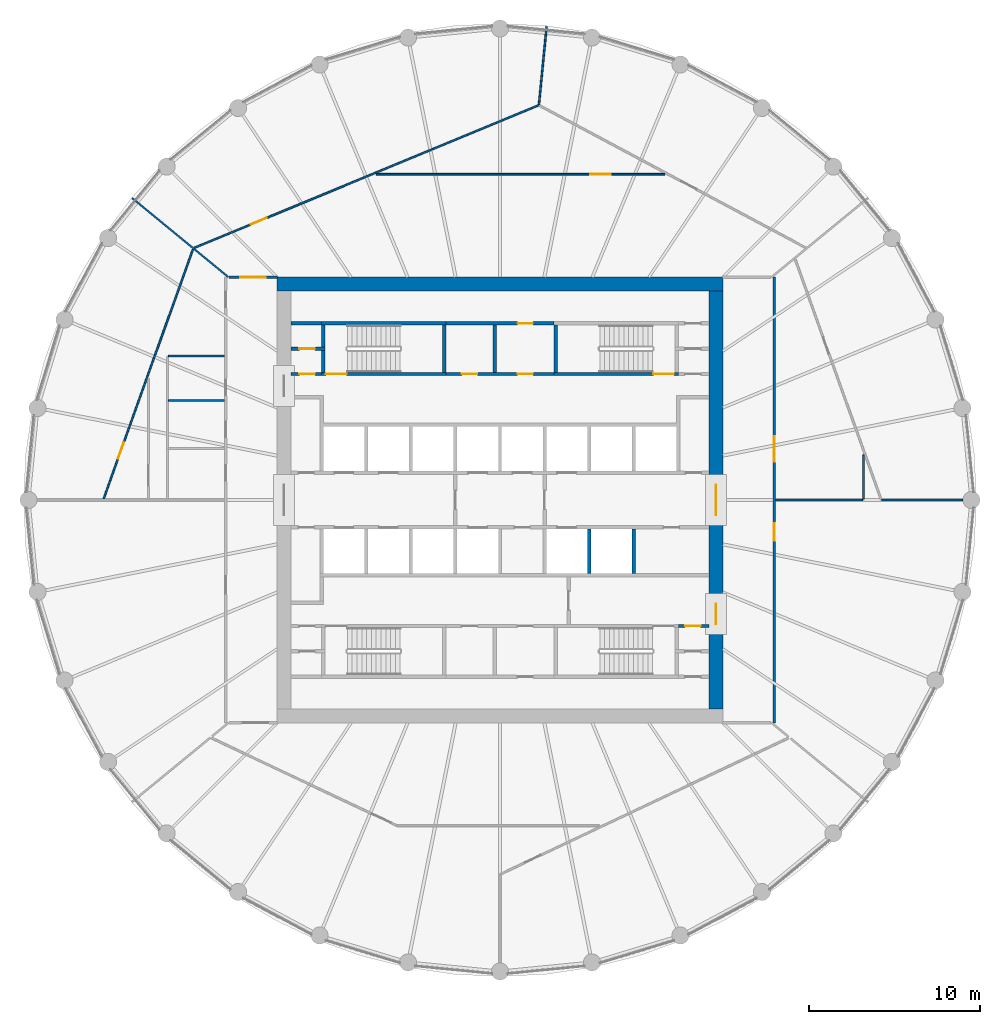
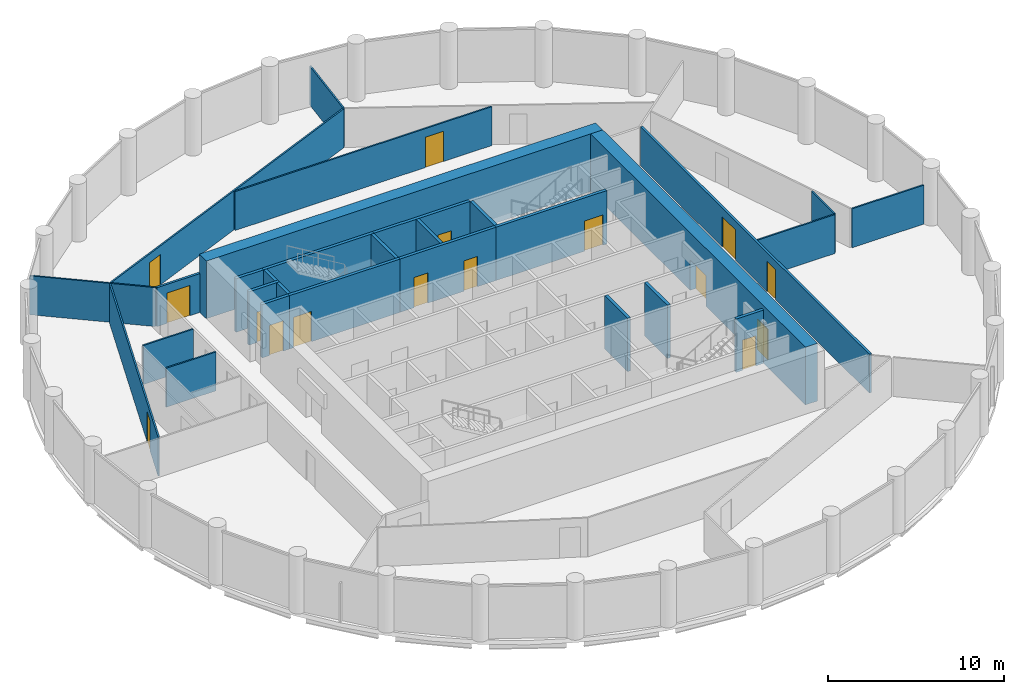
# One storey, part 6 of 8: 30 walls, 16 doors, 16 openings.
"""IFC4 building model written with IfcOpenShell, lengths in metres."""

from ifc_helpers import new_model, si_unit, direction, frame, frame_2d, origin, place, context, subcontext, project, spatial, polyline, rectangle, outline, extrude, material, layer, layer_set, type_object, element, fill, save


model = new_model("IFC4")

# Units and contexts
model_context = context("Model", 3, precision=1e-05, world=origin(), true_north=direction((0.0, 1.0)))
body_context = subcontext(model_context, "Body", "Model", "MODEL_VIEW")
ifc_project = project(units=[si_unit("LENGTHUNIT", "METRE"), si_unit("AREAUNIT", "SQUARE_METRE"), si_unit("VOLUMEUNIT", "CUBIC_METRE"), si_unit("PLANEANGLEUNIT", "RADIAN"), si_unit("MASSUNIT", "GRAM", prefix="KILO")], contexts=[model_context])

# Site, building, storey
site_placement = place(None, origin())
site = spatial("IfcSite", under=ifc_project, at=site_placement, CompositionType="ELEMENT")
building_placement = place(site_placement, origin())
building = spatial("IfcBuilding", under=site, at=building_placement, Name="Corvane Civic Tower", CompositionType="ELEMENT")
storey_placement = place(building_placement, frame((0.0, 0.0, 237.5)))
storey = spatial("IfcBuildingStorey", under=building, at=storey_placement, Name="L56", CompositionType="ELEMENT", Elevation=237.5)

# Wall
ifc_material_1 = material(Name="Concrete C50/60", Category="concrete")
ifc_layer_1 = layer(ifc_material_1, 0.800048828125)
ifc_layer_set_1 = layer_set([ifc_layer_1], Name="Concrete C50/60")
wall_type_1 = type_object("IfcWallType", Name="CORE WALL 800 C50/60", PredefinedType="SHEAR", material=ifc_layer_set_1)
wall_1_placement = place(storey_placement, frame((-13.0, 12.60009765625, 0.0), z_axis=(0.0, 0.0, 1.0), x_axis=(1.0, 0.0, 0.0)))
element("IfcWall", 1, at=wall_1_placement, inside=storey, type_object=wall_type_1, Name="W-L56-core-N", PredefinedType="SHEAR", context=body_context, shape_type="SweptSolid", body=[
    extrude(rectangle(XDim=26.0, YDim=0.800048828125, at=frame_2d((13.0, 0.0))), origin(), (0.0, 0.0, 1.0), 4.0),
])

# Wall, openings, doors
wall_2_placement = place(storey_placement, frame((12.60009765625, -12.199951171875, 0.0), z_axis=(0.0, 0.0, 1.0), x_axis=(0.0, 1.0, 0.0)))
wall_2 = element("IfcWall", 2, at=wall_2_placement, inside=storey, type_object=wall_type_1, Name="W-L56-core-E", PredefinedType="SHEAR", context=body_context, shape_type="SweptSolid", body=[
    extrude(rectangle(XDim=24.39990234375, YDim=0.800048828125, at=frame_2d((12.199951171875, 0.0))), origin(), (0.0, 0.0, 1.0), 4.0),
])
opening_1_placement = place(wall_2_placement, frame((11.300048828125, 0.0, 0.0)))
opening_1 = element("IfcOpeningElement", 3, at=opening_1_placement, cuts=wall_2, Name="Opening L56.C30", PredefinedType="OPENING", context=body_context, shape_type="SweptSolid", body=[
    extrude(rectangle(XDim=1.800048828125, YDim=2.10009765625, at=frame_2d((0.89990234375, 1.050048828125))), frame((0.0, 0.409912109375, 0.0), z_axis=(0.0, -1.0, 0.0), x_axis=(1.0, 0.0, 0.0)), (0.0, 0.0, 1.0), 0.820068359375),
])
opening_2_placement = place(wall_2_placement, frame((4.949951171875, 0.0, 0.0)))
opening_2 = element("IfcOpeningElement", 4, at=opening_2_placement, cuts=wall_2, Name="Opening L56.C32", PredefinedType="OPENING", context=body_context, shape_type="SweptSolid", body=[
    extrude(rectangle(XDim=1.199951171875, YDim=2.10009765625, at=frame_2d((0.60009765625, 1.050048828125))), frame((0.0, 0.409912109375, 0.0), z_axis=(0.0, -1.0, 0.0), x_axis=(1.0, 0.0, 0.0)), (0.0, 0.0, 1.0), 0.820068359375),
])
ifc_material_2 = material(Name="Steel fire door leaf", Category="steel")
door_type_1 = type_object("IfcDoorType", Name="CR-DOOR-CORE-1800", OperationType="DOUBLE_DOOR_SINGLE_SWING", PredefinedType="DOOR", material=ifc_material_2)
door_1_placement = place(opening_1_placement, origin())
door_1 = element("IfcDoor", 5, at=door_1_placement, inside=storey, type_object=door_type_1, Name="L56 door", OperationType="DOUBLE_DOOR_SINGLE_SWING", OverallHeight=2.10009765625, OverallWidth=1.800048828125, PredefinedType="DOOR", context=body_context, shape_type="SweptSolid", body=[
    extrude(rectangle(XDim=1.800048828125, YDim=2.10009765625, at=frame_2d((0.89990234375, 1.050048828125))), frame((0.0, 0.02490234375, 0.0), z_axis=(0.0, -1.0, 0.0), x_axis=(1.0, 0.0, 0.0)), (0.0, 0.0, 1.0), 0.050048828125),
])
fill(opening_1, door_1)
door_2_placement = place(opening_2_placement, origin())
door_2 = element("IfcDoor", 6, at=door_2_placement, inside=storey, type_object=door_type_1, Name="L56 door", OperationType="DOUBLE_DOOR_SINGLE_SWING", OverallHeight=2.10009765625, OverallWidth=1.199951171875, PredefinedType="DOOR", context=body_context, shape_type="SweptSolid", body=[
    extrude(rectangle(XDim=1.199951171875, YDim=2.10009765625, at=frame_2d((0.60009765625, 1.050048828125))), frame((0.0, 0.02490234375, 0.0), z_axis=(0.0, -1.0, 0.0), x_axis=(1.0, 0.0, 0.0)), (0.0, 0.0, 1.0), 0.050048828125),
])
fill(opening_2, door_2)

# Wall, opening, door
ifc_material_3 = material(Name="Concrete C30/37", Category="concrete")
ifc_layer_2 = layer(ifc_material_3, 0.199951171875)
ifc_layer_set_2 = layer_set([ifc_layer_2], Name="Concrete C30/37")
wall_type_2 = type_object("IfcWallType", Name="CR-WALL-200", PredefinedType="PARTITIONING", material=ifc_layer_set_2)
wall_3_placement = place(storey_placement, frame((10.39990234375, -7.35009765625, 0.0), z_axis=(0.0, 0.0, 1.0), x_axis=(1.0, 0.0, 0.0)))
wall_3 = element("IfcWall", 7, at=wall_3_placement, inside=storey, type_object=wall_type_2, Name="L56 core partition wall", PredefinedType="PARTITIONING", context=body_context, shape_type="SweptSolid", body=[
    extrude(rectangle(XDim=1.800048828125, YDim=0.199951171875, at=frame_2d((0.89990234375, 0.0))), origin(), (0.0, 0.0, 1.0), 3.699951171875),
])
opening_3_placement = place(wall_3_placement, frame((0.39990234375, 0.0, 0.0)))
opening_3 = element("IfcOpeningElement", 8, at=opening_3_placement, cuts=wall_3, Name="Opening L56.C19", PredefinedType="OPENING", context=body_context, shape_type="SweptSolid", body=[
    extrude(rectangle(XDim=0.89990234375, YDim=2.10009765625, at=frame_2d((0.449951171875, 1.050048828125))), frame((0.0, 0.10986328125, 0.0), z_axis=(0.0, -1.0, 0.0), x_axis=(1.0, 0.0, 0.0)), (0.0, 0.0, 1.0), 0.219970703125),
])
ifc_material_4 = material(Name="Steel fire door leaf", Category="steel")
door_type_2 = type_object("IfcDoorType", Name="CR-DOOR-900", OperationType="SINGLE_SWING_LEFT", PredefinedType="DOOR", material=ifc_material_4)
door_3_placement = place(opening_3_placement, origin())
door_3 = element("IfcDoor", 9, at=door_3_placement, inside=storey, type_object=door_type_2, Name="L56 door", OperationType="SINGLE_SWING_LEFT", OverallHeight=2.10009765625, OverallWidth=0.89990234375, PredefinedType="DOOR", context=body_context, shape_type="SweptSolid", body=[
    extrude(rectangle(XDim=0.89990234375, YDim=2.10009765625, at=frame_2d((0.449951171875, 1.050048828125))), frame((0.0, 0.02490234375, 0.0), z_axis=(0.0, -1.0, 0.0), x_axis=(1.0, 0.0, 0.0)), (0.0, 0.0, 1.0), 0.050048828125),
])
fill(opening_3, door_3)

wall_4_placement = place(storey_placement, frame((-12.199951171875, 7.35009765625, 0.0), z_axis=(0.0, 0.0, 1.0), x_axis=(1.0, 0.0, 0.0)))
wall_4 = element("IfcWall", 10, at=wall_4_placement, inside=storey, type_object=wall_type_2, Name="L56 core partition wall", PredefinedType="PARTITIONING", context=body_context, shape_type="SweptSolid", body=[
    extrude(rectangle(XDim=1.800048828125, YDim=0.199951171875, at=frame_2d((0.89990234375, 0.0))), origin(), (0.0, 0.0, 1.0), 3.699951171875),
])
opening_4_placement = place(wall_4_placement, frame((0.5, 0.0, 0.0)))
opening_4 = element("IfcOpeningElement", 11, at=opening_4_placement, cuts=wall_4, Name="Opening L56.C12", PredefinedType="OPENING", context=body_context, shape_type="SweptSolid", body=[
    extrude(rectangle(XDim=0.89990234375, YDim=2.10009765625, at=frame_2d((0.449951171875, 1.050048828125))), frame((0.0, 0.10986328125, 0.0), z_axis=(0.0, -1.0, 0.0), x_axis=(1.0, 0.0, 0.0)), (0.0, 0.0, 1.0), 0.219970703125),
])
door_4_placement = place(opening_4_placement, origin())
door_4 = element("IfcDoor", 12, at=door_4_placement, inside=storey, type_object=door_type_2, Name="L56 door", OperationType="SINGLE_SWING_LEFT", OverallHeight=2.10009765625, OverallWidth=0.89990234375, PredefinedType="DOOR", context=body_context, shape_type="SweptSolid", body=[
    extrude(rectangle(XDim=0.89990234375, YDim=2.10009765625, at=frame_2d((0.449951171875, 1.050048828125))), frame((0.0, 0.02490234375, 0.0), z_axis=(0.0, -1.0, 0.0), x_axis=(1.0, 0.0, 0.0)), (0.0, 0.0, 1.0), 0.050048828125),
])
fill(opening_4, door_4)

# Wall, openings, doors
wall_5_placement = place(storey_placement, frame((-3.14990234375, 7.35009765625, 0.0), z_axis=(0.0, 0.0, 1.0), x_axis=(1.0, 0.0, 0.0)))
wall_5 = element("IfcWall", 13, at=wall_5_placement, inside=storey, type_object=wall_type_2, Name="L56 core partition wall", PredefinedType="PARTITIONING", context=body_context, shape_type="SweptSolid", body=[
    extrude(rectangle(XDim=6.2998046875, YDim=0.199951171875, at=frame_2d((3.14990234375, 0.0))), origin(), (0.0, 0.0, 1.0), 3.699951171875),
])
opening_5_placement = place(wall_5_placement, frame((0.925048828125, 0.0, 0.0)))
opening_5 = element("IfcOpeningElement", 14, at=opening_5_placement, cuts=wall_5, Name="Opening L56.C06", PredefinedType="OPENING", context=body_context, shape_type="SweptSolid", body=[
    extrude(rectangle(XDim=0.89990234375, YDim=2.10009765625, at=frame_2d((0.449951171875, 1.050048828125))), frame((0.0, 0.10986328125, 0.0), z_axis=(0.0, -1.0, 0.0), x_axis=(1.0, 0.0, 0.0)), (0.0, 0.0, 1.0), 0.219970703125),
])
opening_6_placement = place(wall_5_placement, frame((4.175048828125, 0.0, 0.0)))
opening_6 = element("IfcOpeningElement", 15, at=opening_6_placement, cuts=wall_5, Name="Opening L56.C07", PredefinedType="OPENING", context=body_context, shape_type="SweptSolid", body=[
    extrude(rectangle(XDim=0.89990234375, YDim=2.10009765625, at=frame_2d((0.449951171875, 1.050048828125))), frame((0.0, 0.10986328125, 0.0), z_axis=(0.0, -1.0, 0.0), x_axis=(1.0, 0.0, 0.0)), (0.0, 0.0, 1.0), 0.219970703125),
])
door_5_placement = place(opening_5_placement, origin())
door_5 = element("IfcDoor", 16, at=door_5_placement, inside=storey, type_object=door_type_2, Name="L56 door", OperationType="SINGLE_SWING_LEFT", OverallHeight=2.10009765625, OverallWidth=0.89990234375, PredefinedType="DOOR", context=body_context, shape_type="SweptSolid", body=[
    extrude(rectangle(XDim=0.89990234375, YDim=2.10009765625, at=frame_2d((0.449951171875, 1.050048828125))), frame((0.0, 0.02490234375, 0.0), z_axis=(0.0, -1.0, 0.0), x_axis=(1.0, 0.0, 0.0)), (0.0, 0.0, 1.0), 0.050048828125),
])
fill(opening_5, door_5)
door_6_placement = place(opening_6_placement, origin())
door_6 = element("IfcDoor", 17, at=door_6_placement, inside=storey, type_object=door_type_2, Name="L56 door", OperationType="SINGLE_SWING_LEFT", OverallHeight=2.10009765625, OverallWidth=0.89990234375, PredefinedType="DOOR", context=body_context, shape_type="SweptSolid", body=[
    extrude(rectangle(XDim=0.89990234375, YDim=2.10009765625, at=frame_2d((0.449951171875, 1.050048828125))), frame((0.0, 0.02490234375, 0.0), z_axis=(0.0, -1.0, 0.0), x_axis=(1.0, 0.0, 0.0)), (0.0, 0.0, 1.0), 0.050048828125),
])
fill(opening_6, door_6)

# Wall, opening, door
wall_6_placement = place(storey_placement, frame((-12.199951171875, 8.824951171875, 0.0), z_axis=(0.0, 0.0, 1.0), x_axis=(1.0, 0.0, 0.0)))
wall_6 = element("IfcWall", 18, at=wall_6_placement, inside=storey, type_object=wall_type_2, Name="L56 partition wall", PredefinedType="PARTITIONING", context=body_context, shape_type="SweptSolid", body=[
    extrude(rectangle(XDim=2.0, YDim=0.199951171875, at=frame_2d((1.0, 0.0))), origin(), (0.0, 0.0, 1.0), 3.699951171875),
])
opening_7_placement = place(wall_6_placement, frame((0.5, 0.0, 0.0)))
opening_7 = element("IfcOpeningElement", 19, at=opening_7_placement, cuts=wall_6, Name="Opening L56.C13", PredefinedType="OPENING", context=body_context, shape_type="SweptSolid", body=[
    extrude(rectangle(XDim=0.89990234375, YDim=2.10009765625, at=frame_2d((0.449951171875, 1.050048828125))), frame((0.0, 0.10986328125, 0.0), z_axis=(0.0, -1.0, 0.0), x_axis=(1.0, 0.0, 0.0)), (0.0, 0.0, 1.0), 0.219970703125),
])
door_7_placement = place(opening_7_placement, origin())
door_7 = element("IfcDoor", 20, at=door_7_placement, inside=storey, type_object=door_type_2, Name="L56 door", OperationType="SINGLE_SWING_LEFT", OverallHeight=2.10009765625, OverallWidth=0.89990234375, PredefinedType="DOOR", context=body_context, shape_type="SweptSolid", body=[
    extrude(rectangle(XDim=0.89990234375, YDim=2.10009765625, at=frame_2d((0.449951171875, 1.050048828125))), frame((0.0, 0.02490234375, 0.0), z_axis=(0.0, -1.0, 0.0), x_axis=(1.0, 0.0, 0.0)), (0.0, 0.0, 1.0), 0.050048828125),
])
fill(opening_7, door_7)

wall_7_placement = place(storey_placement, frame((-3.14990234375, 10.300048828125, 0.0), z_axis=(0.0, 0.0, 1.0), x_axis=(1.0, 0.0, 0.0)))
wall_7 = element("IfcWall", 21, at=wall_7_placement, inside=storey, type_object=wall_type_2, Name="L56 partition wall", PredefinedType="PARTITIONING", context=body_context, shape_type="SweptSolid", body=[
    extrude(rectangle(XDim=6.2998046875, YDim=0.199951171875, at=frame_2d((3.14990234375, 0.0))), origin(), (0.0, 0.0, 1.0), 3.699951171875),
])
opening_8_placement = place(wall_7_placement, frame((4.175048828125, 0.0, 0.0)))
opening_8 = element("IfcOpeningElement", 22, at=opening_8_placement, cuts=wall_7, Name="Opening L56.C10", PredefinedType="OPENING", context=body_context, shape_type="SweptSolid", body=[
    extrude(rectangle(XDim=0.89990234375, YDim=2.10009765625, at=frame_2d((0.449951171875, 1.050048828125))), frame((0.0, 0.10986328125, 0.0), z_axis=(0.0, -1.0, 0.0), x_axis=(1.0, 0.0, 0.0)), (0.0, 0.0, 1.0), 0.219970703125),
])
door_8_placement = place(opening_8_placement, origin())
door_8 = element("IfcDoor", 23, at=door_8_placement, inside=storey, type_object=door_type_2, Name="L56 door", OperationType="SINGLE_SWING_LEFT", OverallHeight=2.10009765625, OverallWidth=0.89990234375, PredefinedType="DOOR", context=body_context, shape_type="SweptSolid", body=[
    extrude(rectangle(XDim=0.89990234375, YDim=2.10009765625, at=frame_2d((0.449951171875, 1.050048828125))), frame((0.0, 0.02490234375, 0.0), z_axis=(0.0, -1.0, 0.0), x_axis=(1.0, 0.0, 0.0)), (0.0, 0.0, 1.0), 0.050048828125),
])
fill(opening_8, door_8)

# Walls
wall_8_placement = place(storey_placement, origin())
element("IfcWall", 24, at=wall_8_placement, inside=storey, type_object=wall_type_2, Name="L56 core partition wall", PredefinedType="PARTITIONING", context=body_context, shape_type="SweptSolid", body=[
    extrude(outline(polyline([(5.300048828125, -1.699951171875), (5.300048828125, -4.2998046875), (5.10009765625, -4.2998046875), (5.10009765625, -1.699951171875), (5.300048828125, -1.699951171875)])), origin(), (0.0, 0.0, 1.0), 3.699951171875),
])
wall_9_placement = place(storey_placement, origin())
element("IfcWall", 25, at=wall_9_placement, inside=storey, type_object=wall_type_2, Name="L56 core partition wall", PredefinedType="PARTITIONING", context=body_context, shape_type="SweptSolid", body=[
    extrude(outline(polyline([(7.89990234375, -1.699951171875), (7.89990234375, -4.2998046875), (7.699951171875, -4.2998046875), (7.699951171875, -1.699951171875), (7.89990234375, -1.699951171875)])), origin(), (0.0, 0.0, 1.0), 3.699951171875),
])
wall_10_placement = place(storey_placement, origin())
element("IfcWall", 26, at=wall_10_placement, inside=storey, type_object=wall_type_2, Name="L56 core partition wall", PredefinedType="PARTITIONING", context=body_context, shape_type="SweptSolid", body=[
    extrude(outline(polyline([(-12.199951171875, 10.199951171875), (-12.199951171875, 10.39990234375), (-10.39990234375, 10.39990234375), (-10.39990234375, 10.199951171875), (-12.199951171875, 10.199951171875)])), origin(), (0.0, 0.0, 1.0), 3.699951171875),
])
wall_11_placement = place(storey_placement, origin())
element("IfcWall", 27, at=wall_11_placement, inside=storey, type_object=wall_type_2, Name="L56 core partition wall", PredefinedType="PARTITIONING", context=body_context, shape_type="SweptSolid", body=[
    extrude(outline(polyline([(-0.199951171875, 10.199951171875), (-0.199951171875, 7.449951171875), (-0.39990234375, 7.449951171875), (-0.39990234375, 10.199951171875), (-0.199951171875, 10.199951171875)])), origin(), (0.0, 0.0, 1.0), 3.699951171875),
])
ifc_material_5 = material(Name="Plasterboard")
ifc_layer_3 = layer(ifc_material_5, 0.10009765625)
ifc_layer_set_3 = layer_set([ifc_layer_3], Name="Plasterboard")
wall_type_3 = type_object("IfcWallType", Name="Partition 100 plasterboard on studs", PredefinedType="PARTITIONING", material=ifc_layer_set_3)
wall_12_placement = place(storey_placement, frame((16.074951171875, 0.0, 0.0), z_axis=(0.0, 0.0, 1.0), x_axis=(1.0, 0.0, 0.0)))
element("IfcWall", 28, at=wall_12_placement, inside=storey, type_object=wall_type_3, Name="Partition L56.014", PredefinedType="PARTITIONING", context=body_context, shape_type="SweptSolid", body=[
    extrude(rectangle(XDim=5.074951171875, YDim=0.10009765625, at=frame_2d((2.53759765625, 0.0))), origin(), (0.0, 0.0, 1.0), 2.699951171875),
])
wall_13_placement = place(storey_placement, frame((22.27880859375, 0.0, 0.0), z_axis=(0.0, 0.0, 1.0), x_axis=(1.0, 0.0, 0.0)))
element("IfcWall", 29, at=wall_13_placement, inside=storey, type_object=wall_type_3, Name="Partition L56.015", PredefinedType="PARTITIONING", context=body_context, shape_type="SweptSolid", body=[
    extrude(rectangle(XDim=4.711181640625, YDim=0.10009765625, at=frame_2d((2.35546875, 0.0))), origin(), (0.0, 0.0, 1.0), 2.699951171875),
])
wall_14_placement = place(storey_placement, frame((21.199951171875, 0.050048828125, 0.0), z_axis=(0.0, 0.0, 1.0), x_axis=(0.0, 1.0, 0.0)))
element("IfcWall", 30, at=wall_14_placement, inside=storey, type_object=wall_type_3, Name="Partition L56.019", PredefinedType="PARTITIONING", context=body_context, shape_type="SweptSolid", body=[
    extrude(rectangle(XDim=2.57861328125, YDim=0.10009765625, at=frame_2d((1.289306640625, 0.0))), origin(), (0.0, 0.0, 1.0), 2.699951171875),
])

# Wall, opening, door
wall_15_placement = place(storey_placement, frame((-23.120849609375, 0.06689453125, 0.0), z_axis=(0.0, 0.0, 1.0), x_axis=(0.336893826296, 0.941542643646, 0.0)))
wall_15 = element("IfcWall", 31, at=wall_15_placement, inside=storey, type_object=wall_type_3, Name="Partition L56.020", PredefinedType="PARTITIONING", context=body_context, shape_type="SweptSolid", body=[
    extrude(rectangle(XDim=15.452392578125, YDim=0.10009765625, at=frame_2d((7.72607421875, 0.0))), origin(), (0.0, 0.0, 1.0), 2.699951171875),
])
opening_9_placement = place(wall_15_placement, frame((2.49169921875, 0.0, 0.0)))
opening_9 = element("IfcOpeningElement", 32, at=opening_9_placement, cuts=wall_15, Name="Opening L56.012", PredefinedType="OPENING", context=body_context, shape_type="SweptSolid", body=[
    extrude(rectangle(XDim=1.0, YDim=2.10009765625, at=frame_2d((0.5, 1.050048828125))), frame((0.0, 0.06005859375, 0.0), z_axis=(0.0, -1.0, 0.0), x_axis=(1.0, 0.0, 0.0)), (0.0, 0.0, 1.0), 0.1201171875),
])
ifc_material_6 = material(Name="Timber", Category="wood")
door_type_3 = type_object("IfcDoorType", Name="Single door 1000", OperationType="NOTDEFINED", PredefinedType="DOOR", material=ifc_material_6)
door_9_placement = place(opening_9_placement, origin())
door_9 = element("IfcDoor", 33, at=door_9_placement, inside=storey, type_object=door_type_3, Name="Door L56.012", OperationType="SINGLE_SWING_LEFT", OverallHeight=2.10009765625, OverallWidth=1.0, PredefinedType="DOOR", context=body_context, shape_type="SweptSolid", body=[
    extrude(rectangle(XDim=1.0, YDim=2.10009765625, at=frame_2d((0.5, 1.050048828125))), frame((0.0, 0.02490234375, 0.0), z_axis=(0.0, -1.0, 0.0), x_axis=(1.0, 0.0, 0.0)), (0.0, 0.0, 1.0), 0.050048828125),
])
fill(opening_9, door_9)

# Walls
for number, where, z_axis, x_axis, name in (
    (34, (-19.35009765625, 5.800048828125, 0.0), (0.0, 0.0, 1.0), (1.0, 0.0, 0.0), "Partition L56.022"),
    (35, (-19.35009765625, 8.39990234375, 0.0), (0.0, 0.0, 1.0), (1.0, 0.0, 0.0), "Partition L56.023"),
):
    element("IfcWall", number, at=place(storey_placement, frame(where, z_axis=z_axis, x_axis=x_axis)), inside=storey, type_object=wall_type_3, Name=name, PredefinedType="PARTITIONING", context=body_context, shape_type="SweptSolid", body=[
        extrude(rectangle(XDim=3.275146484375, YDim=0.10009765625, at=frame_2d((1.6376953125, 0.0))), origin(), (0.0, 0.0, 1.0), 2.699951171875),
    ])
wall_16_placement = place(storey_placement, frame((-21.451171875, 17.6044921875, 0.0), z_axis=(0.0, 0.0, 1.0), x_axis=(0.773014432023, -0.634388436121, 0.0)))
element("IfcWall", 36, at=wall_16_placement, inside=storey, type_object=wall_type_3, Name="Partition L56.026", PredefinedType="PARTITIONING", context=body_context, shape_type="SweptSolid", body=[
    extrude(rectangle(XDim=7.239990234375, YDim=0.10009765625, at=frame_2d((3.6201171875, 0.0))), origin(), (0.0, 0.0, 1.0), 2.699951171875),
])

# Wall, opening, door
wall_17_placement = place(storey_placement, frame((-17.81396484375, 14.714599609375, 0.0), z_axis=(0.0, 0.0, 1.0), x_axis=(0.923877834908, 0.382687530715, 0.0)))
wall_17 = element("IfcWall", 37, at=wall_17_placement, inside=storey, type_object=wall_type_3, Name="Partition L56.028", PredefinedType="PARTITIONING", context=body_context, shape_type="SweptSolid", body=[
    extrude(rectangle(XDim=21.707275390625, YDim=0.10009765625, at=frame_2d((10.853515625, 0.0))), origin(), (0.0, 0.0, 1.0), 2.699951171875),
])
opening_10_placement = place(wall_17_placement, frame((3.556640625, 0.0, 0.0)))
opening_10 = element("IfcOpeningElement", 38, at=opening_10_placement, cuts=wall_17, Name="Opening L56.001", PredefinedType="OPENING", context=body_context, shape_type="SweptSolid", body=[
    extrude(rectangle(XDim=1.0, YDim=2.10009765625, at=frame_2d((0.5, 1.050048828125))), frame((0.0, 0.06005859375, 0.0), z_axis=(0.0, -1.0, 0.0), x_axis=(1.0, 0.0, 0.0)), (0.0, 0.0, 1.0), 0.1201171875),
])
door_10_placement = place(opening_10_placement, origin())
door_10 = element("IfcDoor", 39, at=door_10_placement, inside=storey, type_object=door_type_3, Name="Door L56.001", OperationType="SINGLE_SWING_RIGHT", OverallHeight=2.10009765625, OverallWidth=1.0, PredefinedType="DOOR", context=body_context, shape_type="SweptSolid", body=[
    extrude(rectangle(XDim=1.0, YDim=2.10009765625, at=frame_2d((0.5, 1.050048828125))), frame((0.0, 0.02490234375, 0.0), z_axis=(0.0, -1.0, 0.0), x_axis=(1.0, 0.0, 0.0)), (0.0, 0.0, 1.0), 0.050048828125),
])
fill(opening_10, door_10)

wall_18_placement = place(storey_placement, frame((-7.217041015625, 19.0, 0.0), z_axis=(0.0, 0.0, 1.0), x_axis=(1.0, 0.0, 0.0)))
wall_18 = element("IfcWall", 40, at=wall_18_placement, inside=storey, type_object=wall_type_3, Name="Partition L56.030", PredefinedType="PARTITIONING", context=body_context, shape_type="SweptSolid", body=[
    extrude(rectangle(XDim=16.83154296875, YDim=0.10009765625, at=frame_2d((8.415771484375, 0.0))), origin(), (0.0, 0.0, 1.0), 2.699951171875),
])
opening_11_placement = place(wall_18_placement, frame((12.481201171875, 0.0, 0.0)))
opening_11 = element("IfcOpeningElement", 41, at=opening_11_placement, cuts=wall_18, Name="Opening L56.003", PredefinedType="OPENING", context=body_context, shape_type="SweptSolid", body=[
    extrude(rectangle(XDim=1.199951171875, YDim=2.10009765625, at=frame_2d((0.60009765625, 1.050048828125))), frame((0.0, 0.06005859375, 0.0), z_axis=(0.0, -1.0, 0.0), x_axis=(1.0, 0.0, 0.0)), (0.0, 0.0, 1.0), 0.1201171875),
])
ifc_material_7 = material(Name="Timber", Category="wood")
door_type_4 = type_object("IfcDoorType", Name="Double door 1200", OperationType="NOTDEFINED", PredefinedType="DOOR", material=ifc_material_7)
door_11_placement = place(opening_11_placement, origin())
door_11 = element("IfcDoor", 42, at=door_11_placement, inside=storey, type_object=door_type_4, Name="Door L56.003", OperationType="DOUBLE_DOOR_SINGLE_SWING", OverallHeight=2.10009765625, OverallWidth=1.199951171875, PredefinedType="DOOR", context=body_context, shape_type="SweptSolid", body=[
    extrude(rectangle(XDim=1.199951171875, YDim=2.10009765625, at=frame_2d((0.60009765625, 1.050048828125))), frame((0.0, 0.02490234375, 0.0), z_axis=(0.0, -1.0, 0.0), x_axis=(1.0, 0.0, 0.0)), (0.0, 0.0, 1.0), 0.050048828125),
])
fill(opening_11, door_11)

# Wall
wall_19_placement = place(storey_placement, frame((2.271728515625, 23.06640625, 0.0), z_axis=(0.0, 0.0, 1.0), x_axis=(0.09803912551, 0.995182561076, 0.0)))
element("IfcWall", 43, at=wall_19_placement, inside=storey, type_object=wall_type_3, Name="Partition L56.031", PredefinedType="PARTITIONING", context=body_context, shape_type="SweptSolid", body=[
    extrude(rectangle(XDim=4.572021484375, YDim=0.10009765625, at=frame_2d((2.2861328125, 0.0))), origin(), (0.0, 0.0, 1.0), 2.699951171875),
])

# Wall, opening, door
ifc_material_8 = material(Name="Concrete C50/60", Category="concrete")
ifc_layer_4 = layer(ifc_material_8, 0.199951171875)
ifc_layer_set_4 = layer_set([ifc_layer_4], Name="Concrete C50/60")
wall_type_4 = type_object("IfcWallType", Name="ST-WALL-200", PredefinedType="SHEAR", material=ifc_layer_set_4)
wall_20_placement = place(storey_placement, frame((-10.39990234375, 7.35009765625, 0.0), z_axis=(0.0, 0.0, 1.0), x_axis=(1.0, 0.0, 0.0)))
wall_20 = element("IfcWall", 44, at=wall_20_placement, inside=storey, type_object=wall_type_4, Name="L56 stair enclosure wall", PredefinedType="SHEAR", context=body_context, shape_type="SweptSolid", body=[
    extrude(rectangle(XDim=7.25, YDim=0.199951171875, at=frame_2d((3.625, 0.0))), origin(), (0.0, 0.0, 1.0), 3.699951171875),
])
opening_12_placement = place(wall_20_placement, frame((0.25, 0.0, 0.0)))
opening_12 = element("IfcOpeningElement", 45, at=opening_12_placement, cuts=wall_20, Name="Opening L56.C23", PredefinedType="OPENING", context=body_context, shape_type="SweptSolid", body=[
    extrude(rectangle(XDim=1.199951171875, YDim=2.10009765625, at=frame_2d((0.60009765625, 1.050048828125))), frame((0.0, 0.10986328125, 0.0), z_axis=(0.0, -1.0, 0.0), x_axis=(1.0, 0.0, 0.0)), (0.0, 0.0, 1.0), 0.219970703125),
])
ifc_material_9 = material(Name="Steel fire door leaf", Category="steel")
door_type_5 = type_object("IfcDoorType", Name="ST-DOOR-1200", OperationType="SINGLE_SWING_RIGHT", PredefinedType="DOOR", material=ifc_material_9)
door_12_placement = place(opening_12_placement, origin())
door_12 = element("IfcDoor", 46, at=door_12_placement, inside=storey, type_object=door_type_5, Name="L56 stair door", OperationType="SINGLE_SWING_RIGHT", OverallHeight=2.10009765625, OverallWidth=1.199951171875, PredefinedType="DOOR", context=body_context, shape_type="SweptSolid", body=[
    extrude(rectangle(XDim=1.199951171875, YDim=2.10009765625, at=frame_2d((0.60009765625, 1.050048828125))), frame((0.0, 0.02490234375, 0.0), z_axis=(0.0, -1.0, 0.0), x_axis=(1.0, 0.0, 0.0)), (0.0, 0.0, 1.0), 0.050048828125),
])
fill(opening_12, door_12)

wall_21_placement = place(storey_placement, frame((3.14990234375, 7.35009765625, 0.0), z_axis=(0.0, 0.0, 1.0), x_axis=(1.0, 0.0, 0.0)))
wall_21 = element("IfcWall", 47, at=wall_21_placement, inside=storey, type_object=wall_type_4, Name="L56 stair enclosure wall", PredefinedType="SHEAR", context=body_context, shape_type="SweptSolid", body=[
    extrude(rectangle(XDim=7.25, YDim=0.199951171875, at=frame_2d((3.625, 0.0))), origin(), (0.0, 0.0, 1.0), 3.699951171875),
])
opening_13_placement = place(wall_21_placement, frame((5.800048828125, 0.0, 0.0)))
opening_13 = element("IfcOpeningElement", 48, at=opening_13_placement, cuts=wall_21, Name="Opening L56.C22", PredefinedType="OPENING", context=body_context, shape_type="SweptSolid", body=[
    extrude(rectangle(XDim=1.199951171875, YDim=2.10009765625, at=frame_2d((0.60009765625, 1.050048828125))), frame((0.0, 0.10986328125, 0.0), z_axis=(0.0, -1.0, 0.0), x_axis=(1.0, 0.0, 0.0)), (0.0, 0.0, 1.0), 0.219970703125),
])
door_13_placement = place(opening_13_placement, origin())
door_13 = element("IfcDoor", 49, at=door_13_placement, inside=storey, type_object=door_type_5, Name="L56 stair door", OperationType="SINGLE_SWING_RIGHT", OverallHeight=2.10009765625, OverallWidth=1.199951171875, PredefinedType="DOOR", context=body_context, shape_type="SweptSolid", body=[
    extrude(rectangle(XDim=1.199951171875, YDim=2.10009765625, at=frame_2d((0.60009765625, 1.050048828125))), frame((0.0, 0.02490234375, 0.0), z_axis=(0.0, -1.0, 0.0), x_axis=(1.0, 0.0, 0.0)), (0.0, 0.0, 1.0), 0.050048828125),
])
fill(opening_13, door_13)

# Walls
wall_22_placement = place(storey_placement, origin())
element("IfcWall", 50, at=wall_22_placement, inside=storey, type_object=wall_type_4, Name="L56 stair enclosure wall", PredefinedType="SHEAR", context=body_context, shape_type="SweptSolid", body=[
    extrude(outline(polyline([(-3.14990234375, 10.199951171875), (-10.39990234375, 10.199951171875), (-10.39990234375, 10.39990234375), (-3.14990234375, 10.39990234375), (-3.14990234375, 10.199951171875)])), origin(), (0.0, 0.0, 1.0), 3.699951171875),
])
wall_23_placement = place(storey_placement, origin())
element("IfcWall", 51, at=wall_23_placement, inside=storey, type_object=wall_type_4, Name="L56 stair enclosure wall", PredefinedType="SHEAR", context=body_context, shape_type="SweptSolid", body=[
    extrude(outline(polyline([(-3.14990234375, 7.449951171875), (-3.35009765625, 7.449951171875), (-3.35009765625, 10.199951171875), (-3.14990234375, 10.199951171875), (-3.14990234375, 7.449951171875)])), origin(), (0.0, 0.0, 1.0), 3.699951171875),
])
wall_24_placement = place(storey_placement, origin())
element("IfcWall", 52, at=wall_24_placement, inside=storey, type_object=wall_type_4, Name="L56 stair enclosure wall", PredefinedType="SHEAR", context=body_context, shape_type="SweptSolid", body=[
    extrude(outline(polyline([(3.35009765625, 7.449951171875), (3.14990234375, 7.449951171875), (3.14990234375, 10.199951171875), (3.35009765625, 10.199951171875), (3.35009765625, 7.449951171875)])), origin(), (0.0, 0.0, 1.0), 3.699951171875),
])
wall_25_placement = place(storey_placement, origin())
element("IfcWall", 53, at=wall_25_placement, inside=storey, type_object=wall_type_4, Name="L56 stair enclosure wall", PredefinedType="SHEAR", context=body_context, shape_type="SweptSolid", body=[
    extrude(outline(polyline([(-10.199951171875, 8.72509765625), (-10.199951171875, 7.449951171875), (-10.39990234375, 7.449951171875), (-10.39990234375, 8.72509765625), (-10.199951171875, 8.72509765625)])), origin(), (0.0, 0.0, 1.0), 3.699951171875),
])
wall_26_placement = place(storey_placement, origin())
element("IfcWall", 54, at=wall_26_placement, inside=storey, type_object=wall_type_4, Name="L56 stair enclosure wall", PredefinedType="SHEAR", context=body_context, shape_type="SweptSolid", body=[
    extrude(outline(polyline([(-10.199951171875, 8.925048828125), (-10.39990234375, 8.925048828125), (-10.39990234375, 10.199951171875), (-10.199951171875, 10.199951171875), (-10.199951171875, 8.925048828125)])), origin(), (0.0, 0.0, 1.0), 3.699951171875),
])

# Wall, openings, doors
ifc_material_10 = material(Name="Plasterboard")
ifc_layer_5 = layer(ifc_material_10, 0.14990234375)
ifc_layer_set_5 = layer_set([ifc_layer_5], Name="Plasterboard")
wall_type_5 = type_object("IfcWallType", Name="Tenancy wall 150 EI 60", PredefinedType="PARTITIONING", material=ifc_layer_set_5)
wall_27_placement = place(storey_placement, frame((16.0, -13.0, 0.0), z_axis=(0.0, 0.0, 1.0), x_axis=(0.0, 1.0, 0.0)))
wall_27 = element("IfcWall", 55, at=wall_27_placement, inside=storey, type_object=wall_type_5, Name="Partition L56.012", PredefinedType="PARTITIONING", context=body_context, shape_type="SweptSolid", body=[
    extrude(rectangle(XDim=26.0, YDim=0.14990234375, at=frame_2d((13.0, 0.0))), origin(), (0.0, 0.0, 1.0), 2.699951171875),
])
opening_14_placement = place(wall_27_placement, frame((15.22119140625, 0.0, 0.0)))
opening_14 = element("IfcOpeningElement", 56, at=opening_14_placement, cuts=wall_27, Name="Opening L56.009", PredefinedType="OPENING", context=body_context, shape_type="SweptSolid", body=[
    extrude(rectangle(XDim=1.5, YDim=2.10009765625, at=frame_2d((0.75, 1.050048828125))), frame((0.0, 0.0849609375, 0.0), z_axis=(0.0, -1.0, 0.0), x_axis=(1.0, 0.0, 0.0)), (0.0, 0.0, 1.0), 0.169921875),
])
opening_15_placement = place(wall_27_placement, frame((10.637451171875, 0.0, 0.0)))
opening_15 = element("IfcOpeningElement", 57, at=opening_15_placement, cuts=wall_27, Name="Opening L56.010", PredefinedType="OPENING", context=body_context, shape_type="SweptSolid", body=[
    extrude(rectangle(XDim=1.0, YDim=2.10009765625, at=frame_2d((0.5, 1.050048828125))), frame((0.0, 0.0849609375, 0.0), z_axis=(0.0, -1.0, 0.0), x_axis=(1.0, 0.0, 0.0)), (0.0, 0.0, 1.0), 0.169921875),
])
ifc_material_11 = material(Name="Steel and timber", Category="steel")
door_type_6 = type_object("IfcDoorType", Name="Fire door FD30S 1000", OperationType="NOTDEFINED", PredefinedType="DOOR", material=ifc_material_11)
door_14_placement = place(opening_15_placement, frame((1.0, 0.0, 0.0), z_axis=(0.0, 0.0, 1.0), x_axis=(-1.0, 0.0, 0.0)))
door_14 = element("IfcDoor", 58, at=door_14_placement, inside=storey, type_object=door_type_6, Name="Door L56.010", OperationType="SINGLE_SWING_RIGHT", OverallHeight=2.10009765625, OverallWidth=1.0, PredefinedType="DOOR", context=body_context, shape_type="SweptSolid", body=[
    extrude(rectangle(XDim=1.0, YDim=2.10009765625, at=frame_2d((0.5, 1.050048828125))), frame((0.0, 0.02490234375, 0.0), z_axis=(0.0, -1.0, 0.0), x_axis=(1.0, 0.0, 0.0)), (0.0, 0.0, 1.0), 0.050048828125),
])
fill(opening_15, door_14)
ifc_material_12 = material(Name="Steel and timber", Category="steel")
door_type_7 = type_object("IfcDoorType", Name="Fire door FD60 double 1500", OperationType="NOTDEFINED", PredefinedType="DOOR", material=ifc_material_12)
door_15_placement = place(opening_14_placement, frame((1.5, 0.0, 0.0), z_axis=(0.0, 0.0, 1.0), x_axis=(-1.0, 0.0, 0.0)))
door_15 = element("IfcDoor", 59, at=door_15_placement, inside=storey, type_object=door_type_7, Name="Door L56.009", OperationType="DOUBLE_DOOR_SINGLE_SWING", OverallHeight=2.10009765625, OverallWidth=1.5, PredefinedType="DOOR", context=body_context, shape_type="SweptSolid", body=[
    extrude(rectangle(XDim=1.5, YDim=2.10009765625, at=frame_2d((0.75, 1.050048828125))), frame((0.0, 0.02490234375, 0.0), z_axis=(0.0, -1.0, 0.0), x_axis=(1.0, 0.0, 0.0)), (0.0, 0.0, 1.0), 0.050048828125),
])
fill(opening_14, door_15)

# Wall, opening, door
wall_28_placement = place(storey_placement, frame((-15.813720703125, 13.0, 0.0), z_axis=(0.0, 0.0, 1.0), x_axis=(1.0, 0.0, 0.0)))
wall_28 = element("IfcWall", 60, at=wall_28_placement, inside=storey, type_object=wall_type_5, Name="Partition L56.024", PredefinedType="PARTITIONING", context=body_context, shape_type="SweptSolid", body=[
    extrude(rectangle(XDim=2.82373046875, YDim=0.14990234375, at=frame_2d((1.411865234375, 0.0))), origin(), (0.0, 0.0, 1.0), 2.699951171875),
])
opening_16_placement = place(wall_28_placement, frame((0.65966796875, 0.0, 0.0)))
opening_16 = element("IfcOpeningElement", 61, at=opening_16_placement, cuts=wall_28, Name="Opening L56.004", PredefinedType="OPENING", context=body_context, shape_type="SweptSolid", body=[
    extrude(rectangle(XDim=1.5, YDim=2.10009765625, at=frame_2d((0.75, 1.050048828125))), frame((0.0, 0.0849609375, 0.0), z_axis=(0.0, -1.0, 0.0), x_axis=(1.0, 0.0, 0.0)), (0.0, 0.0, 1.0), 0.169921875),
])
door_16_placement = place(opening_16_placement, origin())
door_16 = element("IfcDoor", 62, at=door_16_placement, inside=storey, type_object=door_type_7, Name="Door L56.004", OperationType="DOUBLE_DOOR_SINGLE_SWING", OverallHeight=2.10009765625, OverallWidth=1.5, PredefinedType="DOOR", context=body_context, shape_type="SweptSolid", body=[
    extrude(rectangle(XDim=1.5, YDim=2.10009765625, at=frame_2d((0.75, 1.050048828125))), frame((0.0, 0.02490234375, 0.0), z_axis=(0.0, -1.0, 0.0), x_axis=(1.0, 0.0, 0.0)), (0.0, 0.0, 1.0), 0.050048828125),
])
fill(opening_16, door_16)

save(model, "model.ifc")
